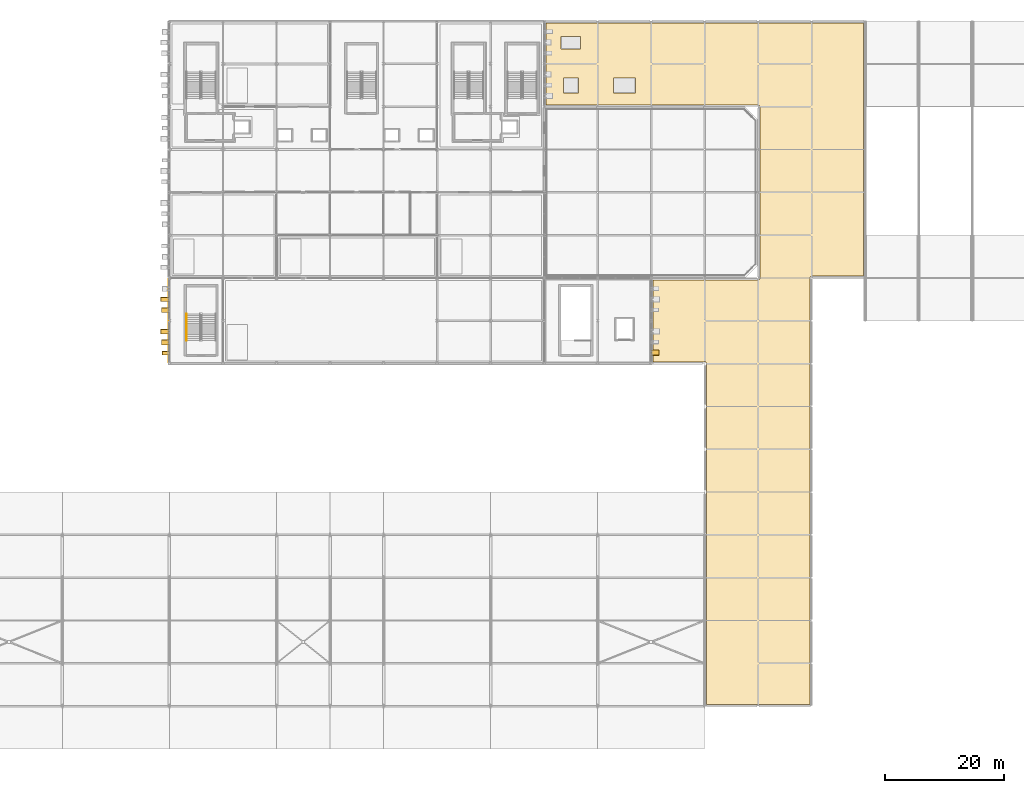
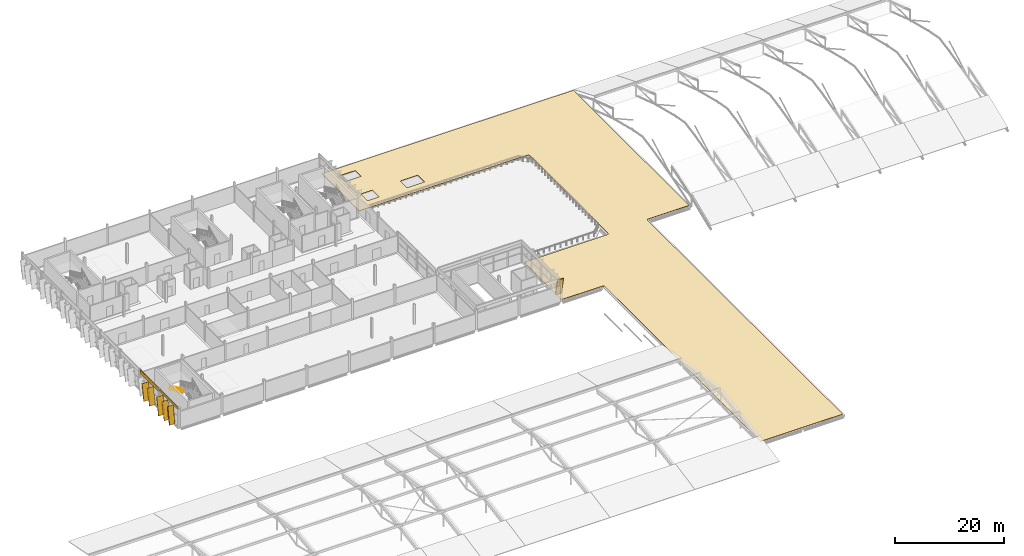
# One storey, part 72 of 78: 9 coverings, 6 shading devices, 1 railing.
"""IFC4 building model written with IfcOpenShell, lengths in metres."""

from ifc_helpers import new_model, si_unit, direction, frame, origin, origin_2d, place, context, subcontext, project, spatial, polyline, rectangle, circle, outline, extrude, material, layer, layer_set, material_profile, profile_set, type_object, element, save


model = new_model("IFC4")

# Units and contexts
model_context = context("Model", 3, precision=1e-05, world=origin(), true_north=direction((0.0, 1.0)))
body_context = subcontext(model_context, "Body", "Model", "MODEL_VIEW")
ifc_project = project(units=[si_unit("LENGTHUNIT", "METRE"), si_unit("AREAUNIT", "SQUARE_METRE"), si_unit("VOLUMEUNIT", "CUBIC_METRE"), si_unit("PLANEANGLEUNIT", "RADIAN"), si_unit("MASSUNIT", "GRAM", prefix="KILO")], contexts=[model_context])

# Site, building, storey
site_placement = place(None, origin())
site = spatial("IfcSite", under=ifc_project, at=site_placement, CompositionType="ELEMENT")
building_placement = place(site_placement, origin())
building = spatial("IfcBuilding", under=site, at=building_placement, Name="Celestram Park Convention Centre", CompositionType="ELEMENT")
storey_placement = place(building_placement, frame((0.0, 0.0, 19.800048828125)))
storey = spatial("IfcBuildingStorey", under=building, at=storey_placement, Name="L04", CompositionType="ELEMENT", Elevation=19.800048828125)

# Coverings
ifc_material_1 = material(Name="Anodised Bronze Aluminium Spandrel Cladding", Category="aluminium")
ifc_layer_1 = layer(ifc_material_1, 0.050048828125)
ifc_layer_set_1 = layer_set([ifc_layer_1], Name="Anodised Bronze Aluminium Spandrel Cladding")
covering_type_1 = type_object("IfcCoveringType", Name="ARC-COV-CLD060", PredefinedType="CLADDING", material=ifc_layer_set_1)
covering_1_placement = place(storey_placement, frame((35.919921875, 111.60009765625, 3.923828125), z_axis=(0.0, 0.0, 1.0), x_axis=(0.0, 1.0, 0.0)))
element("IfcCovering", 1, at=covering_1_placement, inside=storey, type_object=covering_type_1, Name="Bronze spandrel cladding CL-L04-229", PredefinedType="CLADDING", context=body_context, shape_type="SweptSolid", body=[
    extrude(rectangle(XDim=6.8173828125, YDim=0.1201171875, at=origin_2d()), origin(), (0.0, 0.0, 1.0), 0.575927734375),
])
covering_2_placement = place(storey_placement, frame((35.919921875, 118.800048828125, 3.66796875), z_axis=(0.0, 0.0, 1.0), x_axis=(0.0, 1.0, 0.0)))
element("IfcCovering", 2, at=covering_2_placement, inside=storey, type_object=covering_type_1, Name="Bronze spandrel cladding CL-L04-230", PredefinedType="CLADDING", context=body_context, shape_type="SweptSolid", body=[
    extrude(rectangle(XDim=6.8310546875, YDim=0.1201171875, at=origin_2d()), origin(), (0.0, 0.0, 1.0), 0.83203125),
])
ifc_material_2 = material(Name="Timber-Toned Anodised Aluminium Alloy 6063-T6", Category="wood")
ifc_material_profile_1 = material_profile(ifc_material_2, rectangle(XDim=1.1201171875, YDim=0.090087890625, at=origin_2d()), Name="REED1120X90")
ifc_profile_set_1 = profile_set([ifc_material_profile_1], Name="Timber-Toned Anodised Aluminium Alloy 6063-T6")
covering_type_2 = type_object("IfcCoveringType", Name="ARC-COV-FIN1120", PredefinedType="CLADDING", material=ifc_profile_set_1)
covering_3_placement = place(storey_placement, frame((35.360107421875, 109.49560546875, 0.030029296875), z_axis=(0.0, 0.159811935469, 0.987147478993), x_axis=(-1.0, 0.0, 0.0)))
element("IfcCovering", 3, at=covering_3_placement, inside=storey, type_object=covering_type_2, Name="Leaning timber-toned reed fin RFN-L04-0729", PredefinedType="CLADDING", context=body_context, shape_type="SweptSolid", body=[
    extrude(rectangle(XDim=1.1201171875, YDim=0.090087890625, at=origin_2d()), origin(), (0.0, 0.0, 1.0), 3.89404296875),
])
ifc_material_profile_2 = material_profile(ifc_material_2, rectangle(XDim=1.280029296875, YDim=0.090087890625, at=origin_2d()), Name="REED1280X90")
ifc_profile_set_2 = profile_set([ifc_material_profile_2], Name="Timber-Toned Anodised Aluminium Alloy 6063-T6")
covering_type_3 = type_object("IfcCoveringType", Name="ARC-COV-FIN1280", PredefinedType="CLADDING", material=ifc_profile_set_2)
for number, where, z_axis, x_axis, name in (
    (4, (117.719970703125, 110.218994140625, 0.04833984375), (0.0, -0.209601879855, 0.977786813145), (1.0, 0.0, 0.0), "Leaning timber-toned reed fin RFN-L04-0728"),
    (5, (35.280029296875, 111.198486328125, 0.04833984375), (0.0, 0.209661822871, 0.977773961624), (-1.0, 0.0, 0.0), "Leaning timber-toned reed fin RFN-L04-0730"),
):
    element("IfcCovering", number, at=place(storey_placement, frame(where, z_axis=z_axis, x_axis=x_axis)), inside=storey, type_object=covering_type_3, Name=name, PredefinedType="CLADDING", context=body_context, shape_type="SweptSolid", body=[
        extrude(rectangle(XDim=1.280029296875, YDim=0.090087890625, at=origin_2d()), origin(), (0.0, 0.0, 1.0), 3.893798828125),
    ])
covering_4_placement = place(storey_placement, frame((35.280029296875, 116.61865234375, 0.04541015625), z_axis=(0.0, 0.209648246417, 0.977776872694), x_axis=(-1.0, 0.0, 0.0)))
element("IfcCovering", 6, at=covering_4_placement, inside=storey, type_object=covering_type_3, Name="Leaning timber-toned reed fin RFN-L04-0732", PredefinedType="CLADDING", context=body_context, shape_type="SweptSolid", body=[
    extrude(rectangle(XDim=1.280029296875, YDim=0.090087890625, at=origin_2d()), origin(), (0.0, 0.0, 1.0), 3.637939453125),
])
ifc_material_profile_3 = material_profile(ifc_material_2, rectangle(XDim=1.419921875, YDim=0.090087890625, at=origin_2d()), Name="REED1420X90")
ifc_profile_set_3 = profile_set([ifc_material_profile_3], Name="Timber-Toned Anodised Aluminium Alloy 6063-T6")
covering_type_4 = type_object("IfcCoveringType", Name="ARC-COV-FIN1420", PredefinedType="CLADDING", material=ifc_profile_set_3)
covering_5_placement = place(storey_placement, frame((35.2099609375, 113.055419921875, 0.036865234375), z_axis=(0.0, 0.180501750098, 0.983574663262), x_axis=(-1.0, 0.0, 0.0)))
element("IfcCovering", 7, at=covering_5_placement, inside=storey, type_object=covering_type_4, Name="Leaning timber-toned reed fin RFN-L04-0731", PredefinedType="CLADDING", context=body_context, shape_type="SweptSolid", body=[
    extrude(rectangle(XDim=1.419921875, YDim=0.090087890625, at=origin_2d()), origin(), (0.0, 0.0, 1.0), 3.89404296875),
])
covering_6_placement = place(storey_placement, frame((35.2099609375, 118.4716796875, 0.034912109375), z_axis=(0.0, 0.180526977983, 0.983570033206), x_axis=(-1.0, 0.0, 0.0)))
element("IfcCovering", 8, at=covering_6_placement, inside=storey, type_object=covering_type_4, Name="Leaning timber-toned reed fin RFN-L04-0733", PredefinedType="CLADDING", context=body_context, shape_type="SweptSolid", body=[
    extrude(rectangle(XDim=1.419921875, YDim=0.090087890625, at=origin_2d()), origin(), (0.0, 0.0, 1.0), 3.637939453125),
])
ifc_material_3 = material(Name="TPO Membrane & Polyisocyanurate Roof Insulation", Category="insulation")
ifc_layer_2 = layer(ifc_material_3, 0.080078125)
ifc_layer_set_2 = layer_set([ifc_layer_2], Name="TPO Membrane & Polyisocyanurate Roof Insulation")
covering_type_5 = type_object("IfcCoveringType", Name="ARC-COV-RFG180", PredefinedType="ROOFING", material=ifc_layer_set_2)
covering_7_placement = place(storey_placement, origin())
element("IfcCovering", 9, at=covering_7_placement, inside=storey, type_object=covering_type_5, Name="Insulated TPO roof membrane RFG-L04-04", PredefinedType="ROOFING", context=body_context, shape_type="SweptSolid", body=[
    extrude(outline(polyline([(126.298583984375, 108.029296875), (126.294189453125, 108.05859375), (126.287109375, 108.087158203125), (126.277099609375, 108.11474609375), (126.2646484375, 108.141357421875), (126.24951171875, 108.166748046875), (126.23193359375, 108.190185546875), (126.212158203125, 108.212158203125), (126.190185546875, 108.23193359375), (126.166748046875, 108.24951171875), (126.141357421875, 108.2646484375), (126.11474609375, 108.277099609375), (126.087158203125, 108.287109375), (126.05859375, 108.294189453125), (126.029296875, 108.298583984375), (126.0, 108.300048828125), (117.300048828125, 108.300048828125), (117.300048828125, 122.10009765625), (135.0, 122.10009765625), (135.029296875, 122.101318359375), (135.05859375, 122.105712890625), (135.087158203125, 122.11279296875), (135.11474609375, 122.122802734375), (135.141357421875, 122.135498046875), (135.166748046875, 122.150634765625), (135.190185546875, 122.168212890625), (135.212158203125, 122.18798828125), (135.23193359375, 122.209716796875), (135.24951171875, 122.2333984375), (135.2646484375, 122.258544921875), (135.277099609375, 122.28515625), (135.287109375, 122.31298828125), (135.294189453125, 122.341552734375), (135.298583984375, 122.37060546875), (135.300048828125, 122.39990234375), (135.300048828125, 151.199951171875), (135.298583984375, 151.2294921875), (135.294189453125, 151.258544921875), (135.287109375, 151.287109375), (135.277099609375, 151.314697265625), (135.2646484375, 151.34130859375), (135.24951171875, 151.36669921875), (135.23193359375, 151.390380859375), (135.212158203125, 151.412109375), (135.190185546875, 151.431884765625), (135.166748046875, 151.449462890625), (135.141357421875, 151.464599609375), (135.11474609375, 151.477294921875), (135.087158203125, 151.487060546875), (135.05859375, 151.494140625), (135.029296875, 151.49853515625), (135.0, 151.5), (99.300048828125, 151.5), (99.300048828125, 165.300048828125), (152.699951171875, 165.300048828125), (152.699951171875, 122.699951171875), (144.0, 122.699951171875), (143.970703125, 122.698486328125), (143.94140625, 122.694091796875), (143.912841796875, 122.68701171875), (143.88525390625, 122.67724609375), (143.858642578125, 122.66455078125), (143.833251953125, 122.6494140625), (143.809814453125, 122.6318359375), (143.787841796875, 122.612060546875), (143.76806640625, 122.59033203125), (143.75048828125, 122.566650390625), (143.7353515625, 122.54150390625), (143.722900390625, 122.514892578125), (143.712890625, 122.487060546875), (143.705810546875, 122.45849609375), (143.701416015625, 122.429443359375), (143.699951171875, 122.39990234375), (143.699951171875, 50.699951171875), (126.300048828125, 50.699951171875), (126.300048828125, 108.0), (126.298583984375, 108.029296875)]), holes=[polyline([(104.75, 153.550048828125), (104.75, 156.050048828125), (102.25, 156.050048828125), (102.25, 153.550048828125), (104.75, 153.550048828125)]), polyline([(110.64990234375, 153.550048828125), (114.35009765625, 153.550048828125), (114.35009765625, 156.050048828125), (110.64990234375, 156.050048828125), (110.64990234375, 153.550048828125)]), polyline([(101.85009765625, 160.949951171875), (105.14990234375, 160.949951171875), (105.14990234375, 163.050048828125), (101.85009765625, 163.050048828125), (101.85009765625, 160.949951171875)])]), origin(), (0.0, 0.0, 1.0), 0.079833984375),
])

# Shading devices
ifc_material_4 = material(Name="Anodised Bronze Aluminium Alloy 6063-T6", Category="aluminium")
ifc_material_profile_4 = material_profile(ifc_material_4, rectangle(XDim=1.280029296875, YDim=0.080078125, at=origin_2d()), Name="FIN1280X80")
ifc_profile_set_4 = profile_set([ifc_material_profile_4], Name="Anodised Bronze Aluminium Alloy 6063-T6")
shading_device_type = type_object("IfcShadingDeviceType", Name="ARC-FIN-BZ1280", PredefinedType="USERDEFINED", material=ifc_profile_set_4)
shading_device_1_placement = place(storey_placement, frame((117.719970703125, 110.218994140625, 0.04833984375), z_axis=(0.0, -0.209601879855, 0.977786813145), x_axis=(1.0, 0.0, 0.0)))
element("IfcShadingDevice", 10, at=shading_device_1_placement, inside=storey, type_object=shading_device_type, Name="Expressive solar fin FN-L04-0728", ObjectType="SOLAR_FIN", PredefinedType="USERDEFINED", context=body_context, shape_type="SweptSolid", body=[
    extrude(rectangle(XDim=1.280029296875, YDim=0.080078125, at=origin_2d()), origin(), (0.0, 0.0, 1.0), 3.893798828125),
])
shading_device_2_placement = place(storey_placement, frame((35.360107421875, 109.49560546875, 0.030029296875), z_axis=(0.0, 0.159811935469, 0.987147478993), x_axis=(-1.0, 0.0, 0.0)))
element("IfcShadingDevice", 11, at=shading_device_2_placement, inside=storey, type_object=shading_device_type, Name="Expressive solar fin FN-L04-0729", ObjectType="SOLAR_FIN", PredefinedType="USERDEFINED", context=body_context, shape_type="SweptSolid", body=[
    extrude(rectangle(XDim=1.280029296875, YDim=0.080078125, at=origin_2d()), origin(), (0.0, 0.0, 1.0), 3.89404296875),
])
shading_device_3_placement = place(storey_placement, frame((35.280029296875, 111.198486328125, 0.04833984375), z_axis=(0.0, 0.209661822871, 0.977773961624), x_axis=(-1.0, 0.0, 0.0)))
element("IfcShadingDevice", 12, at=shading_device_3_placement, inside=storey, type_object=shading_device_type, Name="Expressive solar fin FN-L04-0730", ObjectType="SOLAR_FIN", PredefinedType="USERDEFINED", context=body_context, shape_type="SweptSolid", body=[
    extrude(rectangle(XDim=1.280029296875, YDim=0.080078125, at=origin_2d()), origin(), (0.0, 0.0, 1.0), 3.893798828125),
])
shading_device_4_placement = place(storey_placement, frame((35.2099609375, 113.055419921875, 0.036865234375), z_axis=(0.0, 0.180501750098, 0.983574663262), x_axis=(-1.0, 0.0, 0.0)))
element("IfcShadingDevice", 13, at=shading_device_4_placement, inside=storey, type_object=shading_device_type, Name="Expressive solar fin FN-L04-0731", ObjectType="SOLAR_FIN", PredefinedType="USERDEFINED", context=body_context, shape_type="SweptSolid", body=[
    extrude(rectangle(XDim=1.280029296875, YDim=0.080078125, at=origin_2d()), origin(), (0.0, 0.0, 1.0), 3.89404296875),
])
for number, where, z_axis, x_axis, name in (
    (14, (35.280029296875, 116.61865234375, 0.04541015625), (0.0, 0.209648246417, 0.977776872694), (-1.0, 0.0, 0.0), "Expressive solar fin FN-L04-0732"),
    (15, (35.2099609375, 118.4716796875, 0.034912109375), (0.0, 0.180526977983, 0.983570033206), (-1.0, 0.0, 0.0), "Expressive solar fin FN-L04-0733"),
):
    element("IfcShadingDevice", number, at=place(storey_placement, frame(where, z_axis=z_axis, x_axis=x_axis)), inside=storey, type_object=shading_device_type, Name=name, ObjectType="SOLAR_FIN", PredefinedType="USERDEFINED", context=body_context, shape_type="SweptSolid", body=[
        extrude(rectangle(XDim=1.280029296875, YDim=0.080078125, at=origin_2d()), origin(), (0.0, 0.0, 1.0), 3.637939453125),
    ])

# Railing
ifc_material_5 = material(Name="Brushed Stainless Steel AISI 304", Category="steel")
ifc_layer_3 = layer(ifc_material_5, 0.048095703125)
ifc_layer_set_3 = layer_set([ifc_layer_3], Name="Brushed Stainless Steel AISI 304")
railing_type = type_object("IfcRailingType", Name="ARC-RL-HND915", PredefinedType="HANDRAIL", material=ifc_layer_set_3)
railing_placement = place(storey_placement, frame((38.8759765625, 116.3798828125, 2.39990234375)))
element("IfcRailing", 16, at=railing_placement, inside=storey, type_object=railing_type, Name="L04 ST-13 stair handrail 2", PredefinedType="HANDRAIL", context=body_context, shape_type="SweptSolid", body=[
    extrude(circle(Radius=0.02392578125, at=origin_2d()), frame((0.0, 0.0, 0.8759765625), z_axis=(0.0, -0.905450639465, 0.424451574969), x_axis=(1.0, 0.0, 0.0)), (0.0, 0.0, 1.0), 4.94775390625),
    extrude(circle(Radius=0.02099609375, at=origin_2d()), origin(), (0.0, 0.0, 1.0), 0.851806640625),
    extrude(circle(Radius=0.02099609375, at=origin_2d()), frame((0.0, -0.89599609375, 0.419921875)), (0.0, 0.0, 1.0), 0.851806640625),
    extrude(circle(Radius=0.02099609375, at=origin_2d()), frame((0.0, -1.7919921875, 0.840087890625)), (0.0, 0.0, 1.0), 0.851806640625),
    extrude(circle(Radius=0.02099609375, at=origin_2d()), frame((0.0, -2.68798828125, 1.260009765625)), (0.0, 0.0, 1.0), 0.851806640625),
    extrude(circle(Radius=0.02099609375, at=origin_2d()), frame((0.0, -3.583984375, 1.68017578125)), (0.0, 0.0, 1.0), 0.851806640625),
    extrude(circle(Radius=0.02099609375, at=origin_2d()), frame((0.0, -4.47998046875, 2.10009765625)), (0.0, 0.0, 1.0), 0.851806640625),
])

save(model, "model.ifc")
